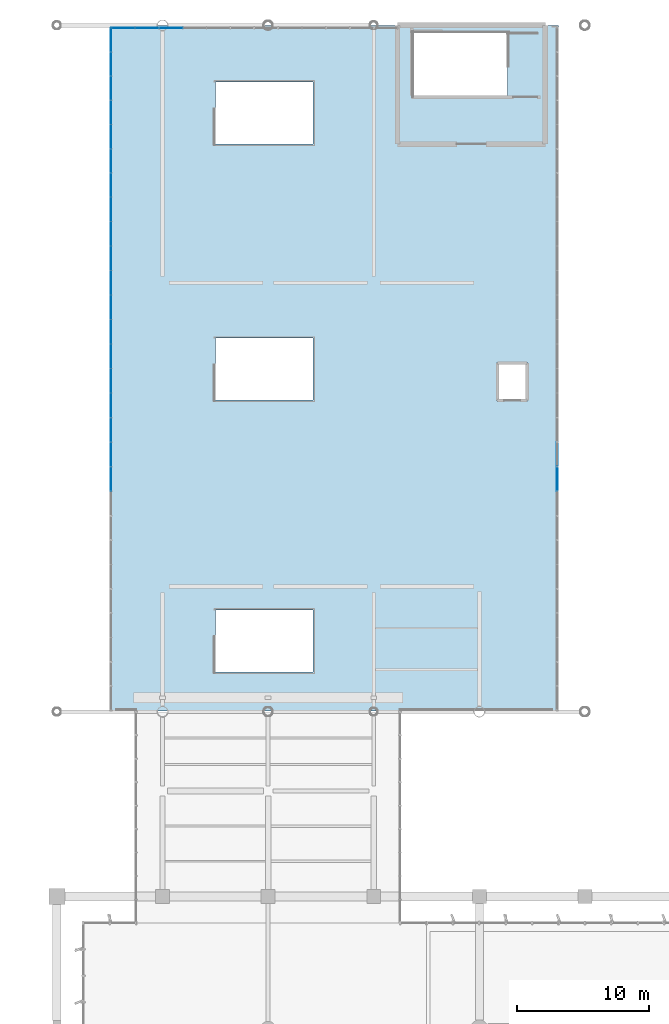
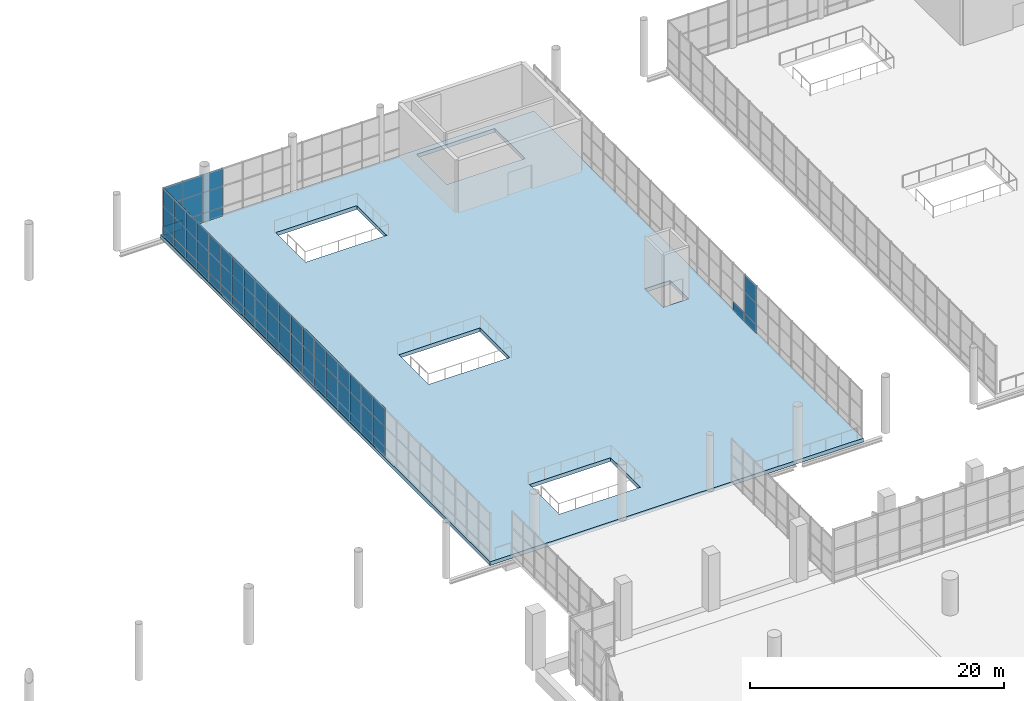
# One storey, part 132 of 176: 70 plates, 1 slab, 5 elements without a shape of their own.
"""IFC4 building model written with IfcOpenShell, lengths in metres."""

from ifc_helpers import new_model, si_unit, direction, frame, origin, origin_2d, place, context, subcontext, project, spatial, polyline, rectangle, outline, extrude, material, layer, layer_set, type_object, element, aggregate, save


model = new_model("IFC4")

# Units and contexts
model_context = context("Model", 3, precision=1e-05, world=origin(), true_north=direction((0.0, 1.0)))
body_context = subcontext(model_context, "Body", "Model", "MODEL_VIEW")
ifc_project = project(units=[si_unit("LENGTHUNIT", "METRE"), si_unit("AREAUNIT", "SQUARE_METRE"), si_unit("VOLUMEUNIT", "CUBIC_METRE"), si_unit("PLANEANGLEUNIT", "RADIAN"), si_unit("MASSUNIT", "GRAM", prefix="KILO")], contexts=[model_context])

# Site, building, storey
site_placement = place(None, origin())
site = spatial("IfcSite", under=ifc_project, at=site_placement, CompositionType="ELEMENT")
building_placement = place(site_placement, origin())
building = spatial("IfcBuilding", under=site, at=building_placement, Name="Khorjan Park Terminus", CompositionType="ELEMENT")
storey_placement = place(building_placement, frame((0.0, 0.0, 6.0)))
storey = spatial("IfcBuildingStorey", under=building, at=storey_placement, Name="L01", CompositionType="ELEMENT", Elevation=6.0)

# Curtain wall, plates
ifc_material_1 = material(Name="Anodized Bronze Aluminium", Category="aluminium")
ifc_layer_1 = layer(ifc_material_1, 0.22)
ifc_layer_set_1 = layer_set([ifc_layer_1], Name="Anodized Bronze Aluminium")
curtain_wall_type = type_object("IfcCurtainWallType", Name="CW-BRG-D", PredefinedType="NOTDEFINED", material=ifc_layer_set_1)
curtain_wall_1_placement = place(storey_placement, origin())
curtain_wall_1 = element("IfcCurtainWall", 1, at=curtain_wall_1_placement, inside=storey, type_object=curtain_wall_type, Name="Unitized curtain wall CW-D (CW-BRW-W-2)", PredefinedType="NOTDEFINED")
ifc_material_2 = material(Name="Low-E Solar Control Double Glazing", Category="glass")
ifc_layer_2 = layer(ifc_material_2, 0.032)
ifc_layer_set_2 = layer_set([ifc_layer_2], Name="Low-E Solar Control Double Glazing")
plate_type_1 = type_object("IfcPlateType", Name="GL-VIS-32", PredefinedType="CURTAIN_PANEL", material=ifc_layer_set_2)
plate_1_placement = place(storey_placement, frame((52.1, 127.0714, 0.85), z_axis=(0.0, 0.0, 1.0), x_axis=(0.0, -1.0, 0.0)))
plate_1 = element("IfcPlate", 2, at=plate_1_placement, type_object=plate_type_1, Name="Curtain-wall panel VP-32 (CW-BRW-W-2-0-2)", PredefinedType="CURTAIN_PANEL", context=body_context, shape_type="SweptSolid", body=[
    extrude(rectangle(XDim=1.8571, YDim=0.032, at=origin_2d()), origin(), (0.0, 0.0, 1.0), 2.002),
])
plate_2_placement = place(storey_placement, frame((52.1, 127.0714, 2.852), z_axis=(0.0, 0.0, 1.0), x_axis=(0.0, -1.0, 0.0)))
plate_2 = element("IfcPlate", 3, at=plate_2_placement, type_object=plate_type_1, Name="Curtain-wall panel VP-32 (CW-BRW-W-2-0-3)", PredefinedType="CURTAIN_PANEL", context=body_context, shape_type="SweptSolid", body=[
    extrude(rectangle(XDim=1.8571, YDim=0.032, at=origin_2d()), origin(), (0.0, 0.0, 1.0), 1.758),
])
plate_3_placement = place(storey_placement, frame((52.1, 125.2143, 0.85), z_axis=(0.0, 0.0, 1.0), x_axis=(0.0, -1.0, 0.0)))
plate_3 = element("IfcPlate", 4, at=plate_3_placement, type_object=plate_type_1, Name="Curtain-wall panel VP-32 (CW-BRW-W-2-1-2)", PredefinedType="CURTAIN_PANEL", context=body_context, shape_type="SweptSolid", body=[
    extrude(rectangle(XDim=1.8571, YDim=0.032, at=origin_2d()), origin(), (0.0, 0.0, 1.0), 2.002),
])
plate_4_placement = place(storey_placement, frame((52.1, 125.2143, 2.852), z_axis=(0.0, 0.0, 1.0), x_axis=(0.0, -1.0, 0.0)))
plate_4 = element("IfcPlate", 5, at=plate_4_placement, type_object=plate_type_1, Name="Curtain-wall panel VP-32 (CW-BRW-W-2-1-3)", PredefinedType="CURTAIN_PANEL", context=body_context, shape_type="SweptSolid", body=[
    extrude(rectangle(XDim=1.8571, YDim=0.032, at=origin_2d()), origin(), (0.0, 0.0, 1.0), 1.758),
])
plate_5_placement = place(storey_placement, frame((52.1, 123.3572, 0.85), z_axis=(0.0, 0.0, 1.0), x_axis=(0.0, -1.0, 0.0)))
plate_5 = element("IfcPlate", 6, at=plate_5_placement, type_object=plate_type_1, Name="Curtain-wall panel VP-32 (CW-BRW-W-2-2-2)", PredefinedType="CURTAIN_PANEL", context=body_context, shape_type="SweptSolid", body=[
    extrude(rectangle(XDim=1.8571, YDim=0.032, at=origin_2d()), origin(), (0.0, 0.0, 1.0), 2.002),
])
plate_6_placement = place(storey_placement, frame((52.1, 123.3572, 2.852), z_axis=(0.0, 0.0, 1.0), x_axis=(0.0, -1.0, 0.0)))
plate_6 = element("IfcPlate", 7, at=plate_6_placement, type_object=plate_type_1, Name="Curtain-wall panel VP-32 (CW-BRW-W-2-2-3)", PredefinedType="CURTAIN_PANEL", context=body_context, shape_type="SweptSolid", body=[
    extrude(rectangle(XDim=1.8571, YDim=0.032, at=origin_2d()), origin(), (0.0, 0.0, 1.0), 1.758),
])
plate_7_placement = place(storey_placement, frame((52.1, 121.5, 0.85), z_axis=(0.0, 0.0, 1.0), x_axis=(0.0, -1.0, 0.0)))
plate_7 = element("IfcPlate", 8, at=plate_7_placement, type_object=plate_type_1, Name="Curtain-wall panel VP-32 (CW-BRW-W-2-3-2)", PredefinedType="CURTAIN_PANEL", context=body_context, shape_type="SweptSolid", body=[
    extrude(rectangle(XDim=1.8571, YDim=0.032, at=origin_2d()), origin(), (0.0, 0.0, 1.0), 2.002),
])
plate_8_placement = place(storey_placement, frame((52.1, 121.5, 2.852), z_axis=(0.0, 0.0, 1.0), x_axis=(0.0, -1.0, 0.0)))
plate_8 = element("IfcPlate", 9, at=plate_8_placement, type_object=plate_type_1, Name="Curtain-wall panel VP-32 (CW-BRW-W-2-3-3)", PredefinedType="CURTAIN_PANEL", context=body_context, shape_type="SweptSolid", body=[
    extrude(rectangle(XDim=1.8571, YDim=0.032, at=origin_2d()), origin(), (0.0, 0.0, 1.0), 1.758),
])
plate_9_placement = place(storey_placement, frame((52.1, 119.6428, 0.85), z_axis=(0.0, 0.0, 1.0), x_axis=(0.0, -1.0, 0.0)))
plate_9 = element("IfcPlate", 10, at=plate_9_placement, type_object=plate_type_1, Name="Curtain-wall panel VP-32 (CW-BRW-W-2-4-2)", PredefinedType="CURTAIN_PANEL", context=body_context, shape_type="SweptSolid", body=[
    extrude(rectangle(XDim=1.8571, YDim=0.032, at=origin_2d()), origin(), (0.0, 0.0, 1.0), 2.002),
])
plate_10_placement = place(storey_placement, frame((52.1, 119.6428, 2.852), z_axis=(0.0, 0.0, 1.0), x_axis=(0.0, -1.0, 0.0)))
plate_10 = element("IfcPlate", 11, at=plate_10_placement, type_object=plate_type_1, Name="Curtain-wall panel VP-32 (CW-BRW-W-2-4-3)", PredefinedType="CURTAIN_PANEL", context=body_context, shape_type="SweptSolid", body=[
    extrude(rectangle(XDim=1.8571, YDim=0.032, at=origin_2d()), origin(), (0.0, 0.0, 1.0), 1.758),
])

curtain_wall_2_placement = place(storey_placement, origin())
curtain_wall_2 = element("IfcCurtainWall", 12, at=curtain_wall_2_placement, inside=storey, type_object=curtain_wall_type, Name="Unitized curtain wall CW-D (CW-BRW-E-2)", PredefinedType="NOTDEFINED")
plate_11_placement = place(storey_placement, frame((85.9, 119.6428, 0.85), z_axis=(0.0, 0.0, 1.0), x_axis=(0.0, 1.0, 0.0)))
plate_11 = element("IfcPlate", 13, at=plate_11_placement, type_object=plate_type_1, Name="Curtain-wall panel VP-32 (CW-BRW-E-2-2-2)", PredefinedType="CURTAIN_PANEL", context=body_context, shape_type="SweptSolid", body=[
    extrude(rectangle(XDim=1.8571, YDim=0.032, at=origin_2d()), origin(), (0.0, 0.0, 1.0), 2.002),
])
plate_12_placement = place(storey_placement, frame((85.9, 119.6428, 2.852), z_axis=(0.0, 0.0, 1.0), x_axis=(0.0, 1.0, 0.0)))
plate_12 = element("IfcPlate", 14, at=plate_12_placement, type_object=plate_type_1, Name="Curtain-wall panel VP-32 (CW-BRW-E-2-2-3)", PredefinedType="CURTAIN_PANEL", context=body_context, shape_type="SweptSolid", body=[
    extrude(rectangle(XDim=1.8571, YDim=0.032, at=origin_2d()), origin(), (0.0, 0.0, 1.0), 1.758),
])

curtain_wall_3_placement = place(storey_placement, origin())
curtain_wall_3 = element("IfcCurtainWall", 15, at=curtain_wall_3_placement, inside=storey, type_object=curtain_wall_type, Name="Unitized curtain wall CW-D (CW-BRW-W-3)", PredefinedType="NOTDEFINED")
plate_13_placement = place(storey_placement, frame((52.1, 140.0714, 0.85), z_axis=(0.0, 0.0, 1.0), x_axis=(0.0, -1.0, 0.0)))
plate_13 = element("IfcPlate", 16, at=plate_13_placement, type_object=plate_type_1, Name="Curtain-wall panel VP-32 (CW-BRW-W-3-0-2)", PredefinedType="CURTAIN_PANEL", context=body_context, shape_type="SweptSolid", body=[
    extrude(rectangle(XDim=1.8571, YDim=0.032, at=origin_2d()), origin(), (0.0, 0.0, 1.0), 2.002),
])
plate_14_placement = place(storey_placement, frame((52.1, 140.0714, 2.852), z_axis=(0.0, 0.0, 1.0), x_axis=(0.0, -1.0, 0.0)))
plate_14 = element("IfcPlate", 17, at=plate_14_placement, type_object=plate_type_1, Name="Curtain-wall panel VP-32 (CW-BRW-W-3-0-3)", PredefinedType="CURTAIN_PANEL", context=body_context, shape_type="SweptSolid", body=[
    extrude(rectangle(XDim=1.8571, YDim=0.032, at=origin_2d()), origin(), (0.0, 0.0, 1.0), 1.758),
])
plate_15_placement = place(storey_placement, frame((52.1, 138.2143, 0.85), z_axis=(0.0, 0.0, 1.0), x_axis=(0.0, -1.0, 0.0)))
plate_15 = element("IfcPlate", 18, at=plate_15_placement, type_object=plate_type_1, Name="Curtain-wall panel VP-32 (CW-BRW-W-3-1-2)", PredefinedType="CURTAIN_PANEL", context=body_context, shape_type="SweptSolid", body=[
    extrude(rectangle(XDim=1.8571, YDim=0.032, at=origin_2d()), origin(), (0.0, 0.0, 1.0), 2.002),
])
plate_16_placement = place(storey_placement, frame((52.1, 138.2143, 2.852), z_axis=(0.0, 0.0, 1.0), x_axis=(0.0, -1.0, 0.0)))
plate_16 = element("IfcPlate", 19, at=plate_16_placement, type_object=plate_type_1, Name="Curtain-wall panel VP-32 (CW-BRW-W-3-1-3)", PredefinedType="CURTAIN_PANEL", context=body_context, shape_type="SweptSolid", body=[
    extrude(rectangle(XDim=1.8571, YDim=0.032, at=origin_2d()), origin(), (0.0, 0.0, 1.0), 1.758),
])
plate_17_placement = place(storey_placement, frame((52.1, 136.3571, 0.85), z_axis=(0.0, 0.0, 1.0), x_axis=(0.0, -1.0, 0.0)))
plate_17 = element("IfcPlate", 20, at=plate_17_placement, type_object=plate_type_1, Name="Curtain-wall panel VP-32 (CW-BRW-W-3-2-2)", PredefinedType="CURTAIN_PANEL", context=body_context, shape_type="SweptSolid", body=[
    extrude(rectangle(XDim=1.8571, YDim=0.032, at=origin_2d()), origin(), (0.0, 0.0, 1.0), 2.002),
])
plate_18_placement = place(storey_placement, frame((52.1, 136.3571, 2.852), z_axis=(0.0, 0.0, 1.0), x_axis=(0.0, -1.0, 0.0)))
plate_18 = element("IfcPlate", 21, at=plate_18_placement, type_object=plate_type_1, Name="Curtain-wall panel VP-32 (CW-BRW-W-3-2-3)", PredefinedType="CURTAIN_PANEL", context=body_context, shape_type="SweptSolid", body=[
    extrude(rectangle(XDim=1.8571, YDim=0.032, at=origin_2d()), origin(), (0.0, 0.0, 1.0), 1.758),
])
plate_19_placement = place(storey_placement, frame((52.1, 134.5, 0.85), z_axis=(0.0, 0.0, 1.0), x_axis=(0.0, -1.0, 0.0)))
plate_19 = element("IfcPlate", 22, at=plate_19_placement, type_object=plate_type_1, Name="Curtain-wall panel VP-32 (CW-BRW-W-3-3-2)", PredefinedType="CURTAIN_PANEL", context=body_context, shape_type="SweptSolid", body=[
    extrude(rectangle(XDim=1.8571, YDim=0.032, at=origin_2d()), origin(), (0.0, 0.0, 1.0), 2.002),
])
plate_20_placement = place(storey_placement, frame((52.1, 134.5, 2.852), z_axis=(0.0, 0.0, 1.0), x_axis=(0.0, -1.0, 0.0)))
plate_20 = element("IfcPlate", 23, at=plate_20_placement, type_object=plate_type_1, Name="Curtain-wall panel VP-32 (CW-BRW-W-3-3-3)", PredefinedType="CURTAIN_PANEL", context=body_context, shape_type="SweptSolid", body=[
    extrude(rectangle(XDim=1.8571, YDim=0.032, at=origin_2d()), origin(), (0.0, 0.0, 1.0), 1.758),
])
plate_21_placement = place(storey_placement, frame((52.1, 132.6429, 0.85), z_axis=(0.0, 0.0, 1.0), x_axis=(0.0, -1.0, 0.0)))
plate_21 = element("IfcPlate", 24, at=plate_21_placement, type_object=plate_type_1, Name="Curtain-wall panel VP-32 (CW-BRW-W-3-4-2)", PredefinedType="CURTAIN_PANEL", context=body_context, shape_type="SweptSolid", body=[
    extrude(rectangle(XDim=1.8571, YDim=0.032, at=origin_2d()), origin(), (0.0, 0.0, 1.0), 2.002),
])
plate_22_placement = place(storey_placement, frame((52.1, 132.6429, 2.852), z_axis=(0.0, 0.0, 1.0), x_axis=(0.0, -1.0, 0.0)))
plate_22 = element("IfcPlate", 25, at=plate_22_placement, type_object=plate_type_1, Name="Curtain-wall panel VP-32 (CW-BRW-W-3-4-3)", PredefinedType="CURTAIN_PANEL", context=body_context, shape_type="SweptSolid", body=[
    extrude(rectangle(XDim=1.8571, YDim=0.032, at=origin_2d()), origin(), (0.0, 0.0, 1.0), 1.758),
])
plate_23_placement = place(storey_placement, frame((52.1, 130.7857, 0.85), z_axis=(0.0, 0.0, 1.0), x_axis=(0.0, -1.0, 0.0)))
plate_23 = element("IfcPlate", 26, at=plate_23_placement, type_object=plate_type_1, Name="Curtain-wall panel VP-32 (CW-BRW-W-3-5-2)", PredefinedType="CURTAIN_PANEL", context=body_context, shape_type="SweptSolid", body=[
    extrude(rectangle(XDim=1.8571, YDim=0.032, at=origin_2d()), origin(), (0.0, 0.0, 1.0), 2.002),
])
plate_24_placement = place(storey_placement, frame((52.1, 130.7857, 2.852), z_axis=(0.0, 0.0, 1.0), x_axis=(0.0, -1.0, 0.0)))
plate_24 = element("IfcPlate", 27, at=plate_24_placement, type_object=plate_type_1, Name="Curtain-wall panel VP-32 (CW-BRW-W-3-5-3)", PredefinedType="CURTAIN_PANEL", context=body_context, shape_type="SweptSolid", body=[
    extrude(rectangle(XDim=1.8571, YDim=0.032, at=origin_2d()), origin(), (0.0, 0.0, 1.0), 1.758),
])
plate_25_placement = place(storey_placement, frame((52.1, 128.9286, 0.85), z_axis=(0.0, 0.0, 1.0), x_axis=(0.0, -1.0, 0.0)))
plate_25 = element("IfcPlate", 28, at=plate_25_placement, type_object=plate_type_1, Name="Curtain-wall panel VP-32 (CW-BRW-W-3-6-2)", PredefinedType="CURTAIN_PANEL", context=body_context, shape_type="SweptSolid", body=[
    extrude(rectangle(XDim=1.8571, YDim=0.032, at=origin_2d()), origin(), (0.0, 0.0, 1.0), 2.002),
])
plate_26_placement = place(storey_placement, frame((52.1, 128.9286, 2.852), z_axis=(0.0, 0.0, 1.0), x_axis=(0.0, -1.0, 0.0)))
plate_26 = element("IfcPlate", 29, at=plate_26_placement, type_object=plate_type_1, Name="Curtain-wall panel VP-32 (CW-BRW-W-3-6-3)", PredefinedType="CURTAIN_PANEL", context=body_context, shape_type="SweptSolid", body=[
    extrude(rectangle(XDim=1.8571, YDim=0.032, at=origin_2d()), origin(), (0.0, 0.0, 1.0), 1.758),
])

curtain_wall_4_placement = place(storey_placement, origin())
curtain_wall_4 = element("IfcCurtainWall", 30, at=curtain_wall_4_placement, inside=storey, type_object=curtain_wall_type, Name="Unitized curtain wall CW-D (CW-BRW-W-4)", PredefinedType="NOTDEFINED")
plate_27_placement = place(storey_placement, frame((52.1, 152.8857, 0.85), z_axis=(0.0, 0.0, 1.0), x_axis=(0.0, -1.0, 0.0)))
plate_27 = element("IfcPlate", 31, at=plate_27_placement, type_object=plate_type_1, Name="Curtain-wall panel VP-32 (CW-BRW-W-4-0-2)", PredefinedType="CURTAIN_PANEL", context=body_context, shape_type="SweptSolid", body=[
    extrude(rectangle(XDim=1.8286, YDim=0.032, at=origin_2d()), origin(), (0.0, 0.0, 1.0), 2.002),
])
plate_28_placement = place(storey_placement, frame((52.1, 152.8857, 2.852), z_axis=(0.0, 0.0, 1.0), x_axis=(0.0, -1.0, 0.0)))
plate_28 = element("IfcPlate", 32, at=plate_28_placement, type_object=plate_type_1, Name="Curtain-wall panel VP-32 (CW-BRW-W-4-0-3)", PredefinedType="CURTAIN_PANEL", context=body_context, shape_type="SweptSolid", body=[
    extrude(rectangle(XDim=1.8286, YDim=0.032, at=origin_2d()), origin(), (0.0, 0.0, 1.0), 1.758),
])
plate_29_placement = place(storey_placement, frame((52.1, 151.0571, 0.85), z_axis=(0.0, 0.0, 1.0), x_axis=(0.0, -1.0, 0.0)))
plate_29 = element("IfcPlate", 33, at=plate_29_placement, type_object=plate_type_1, Name="Curtain-wall panel VP-32 (CW-BRW-W-4-1-2)", PredefinedType="CURTAIN_PANEL", context=body_context, shape_type="SweptSolid", body=[
    extrude(rectangle(XDim=1.8286, YDim=0.032, at=origin_2d()), origin(), (0.0, 0.0, 1.0), 2.002),
])
plate_30_placement = place(storey_placement, frame((52.1, 151.0571, 2.852), z_axis=(0.0, 0.0, 1.0), x_axis=(0.0, -1.0, 0.0)))
plate_30 = element("IfcPlate", 34, at=plate_30_placement, type_object=plate_type_1, Name="Curtain-wall panel VP-32 (CW-BRW-W-4-1-3)", PredefinedType="CURTAIN_PANEL", context=body_context, shape_type="SweptSolid", body=[
    extrude(rectangle(XDim=1.8286, YDim=0.032, at=origin_2d()), origin(), (0.0, 0.0, 1.0), 1.758),
])
plate_31_placement = place(storey_placement, frame((52.1, 149.2286, 0.85), z_axis=(0.0, 0.0, 1.0), x_axis=(0.0, -1.0, 0.0)))
plate_31 = element("IfcPlate", 35, at=plate_31_placement, type_object=plate_type_1, Name="Curtain-wall panel VP-32 (CW-BRW-W-4-2-2)", PredefinedType="CURTAIN_PANEL", context=body_context, shape_type="SweptSolid", body=[
    extrude(rectangle(XDim=1.8286, YDim=0.032, at=origin_2d()), origin(), (0.0, 0.0, 1.0), 2.002),
])
plate_32_placement = place(storey_placement, frame((52.1, 149.2286, 2.852), z_axis=(0.0, 0.0, 1.0), x_axis=(0.0, -1.0, 0.0)))
plate_32 = element("IfcPlate", 36, at=plate_32_placement, type_object=plate_type_1, Name="Curtain-wall panel VP-32 (CW-BRW-W-4-2-3)", PredefinedType="CURTAIN_PANEL", context=body_context, shape_type="SweptSolid", body=[
    extrude(rectangle(XDim=1.8286, YDim=0.032, at=origin_2d()), origin(), (0.0, 0.0, 1.0), 1.758),
])
plate_33_placement = place(storey_placement, frame((52.1, 147.4, 0.85), z_axis=(0.0, 0.0, 1.0), x_axis=(0.0, -1.0, 0.0)))
plate_33 = element("IfcPlate", 37, at=plate_33_placement, type_object=plate_type_1, Name="Curtain-wall panel VP-32 (CW-BRW-W-4-3-2)", PredefinedType="CURTAIN_PANEL", context=body_context, shape_type="SweptSolid", body=[
    extrude(rectangle(XDim=1.8286, YDim=0.032, at=origin_2d()), origin(), (0.0, 0.0, 1.0), 2.002),
])
plate_34_placement = place(storey_placement, frame((52.1, 147.4, 2.852), z_axis=(0.0, 0.0, 1.0), x_axis=(0.0, -1.0, 0.0)))
plate_34 = element("IfcPlate", 38, at=plate_34_placement, type_object=plate_type_1, Name="Curtain-wall panel VP-32 (CW-BRW-W-4-3-3)", PredefinedType="CURTAIN_PANEL", context=body_context, shape_type="SweptSolid", body=[
    extrude(rectangle(XDim=1.8286, YDim=0.032, at=origin_2d()), origin(), (0.0, 0.0, 1.0), 1.758),
])
plate_35_placement = place(storey_placement, frame((52.1, 145.5714, 0.85), z_axis=(0.0, 0.0, 1.0), x_axis=(0.0, -1.0, 0.0)))
plate_35 = element("IfcPlate", 39, at=plate_35_placement, type_object=plate_type_1, Name="Curtain-wall panel VP-32 (CW-BRW-W-4-4-2)", PredefinedType="CURTAIN_PANEL", context=body_context, shape_type="SweptSolid", body=[
    extrude(rectangle(XDim=1.8286, YDim=0.032, at=origin_2d()), origin(), (0.0, 0.0, 1.0), 2.002),
])
plate_36_placement = place(storey_placement, frame((52.1, 145.5714, 2.852), z_axis=(0.0, 0.0, 1.0), x_axis=(0.0, -1.0, 0.0)))
plate_36 = element("IfcPlate", 40, at=plate_36_placement, type_object=plate_type_1, Name="Curtain-wall panel VP-32 (CW-BRW-W-4-4-3)", PredefinedType="CURTAIN_PANEL", context=body_context, shape_type="SweptSolid", body=[
    extrude(rectangle(XDim=1.8286, YDim=0.032, at=origin_2d()), origin(), (0.0, 0.0, 1.0), 1.758),
])
plate_37_placement = place(storey_placement, frame((52.1, 143.7429, 0.85), z_axis=(0.0, 0.0, 1.0), x_axis=(0.0, -1.0, 0.0)))
plate_37 = element("IfcPlate", 41, at=plate_37_placement, type_object=plate_type_1, Name="Curtain-wall panel VP-32 (CW-BRW-W-4-5-2)", PredefinedType="CURTAIN_PANEL", context=body_context, shape_type="SweptSolid", body=[
    extrude(rectangle(XDim=1.8286, YDim=0.032, at=origin_2d()), origin(), (0.0, 0.0, 1.0), 2.002),
])
plate_38_placement = place(storey_placement, frame((52.1, 143.7429, 2.852), z_axis=(0.0, 0.0, 1.0), x_axis=(0.0, -1.0, 0.0)))
plate_38 = element("IfcPlate", 42, at=plate_38_placement, type_object=plate_type_1, Name="Curtain-wall panel VP-32 (CW-BRW-W-4-5-3)", PredefinedType="CURTAIN_PANEL", context=body_context, shape_type="SweptSolid", body=[
    extrude(rectangle(XDim=1.8286, YDim=0.032, at=origin_2d()), origin(), (0.0, 0.0, 1.0), 1.758),
])
plate_39_placement = place(storey_placement, frame((52.1, 141.9143, 0.85), z_axis=(0.0, 0.0, 1.0), x_axis=(0.0, -1.0, 0.0)))
plate_39 = element("IfcPlate", 43, at=plate_39_placement, type_object=plate_type_1, Name="Curtain-wall panel VP-32 (CW-BRW-W-4-6-2)", PredefinedType="CURTAIN_PANEL", context=body_context, shape_type="SweptSolid", body=[
    extrude(rectangle(XDim=1.8286, YDim=0.032, at=origin_2d()), origin(), (0.0, 0.0, 1.0), 2.002),
])
plate_40_placement = place(storey_placement, frame((52.1, 141.9143, 2.852), z_axis=(0.0, 0.0, 1.0), x_axis=(0.0, -1.0, 0.0)))
plate_40 = element("IfcPlate", 44, at=plate_40_placement, type_object=plate_type_1, Name="Curtain-wall panel VP-32 (CW-BRW-W-4-6-3)", PredefinedType="CURTAIN_PANEL", context=body_context, shape_type="SweptSolid", body=[
    extrude(rectangle(XDim=1.8286, YDim=0.032, at=origin_2d()), origin(), (0.0, 0.0, 1.0), 1.758),
])

curtain_wall_5_placement = place(storey_placement, origin())
curtain_wall_5 = element("IfcCurtainWall", 45, at=curtain_wall_5_placement, inside=storey, type_object=curtain_wall_type, Name="Unitized curtain wall CW-D (CW-BRW-N)", PredefinedType="NOTDEFINED")
plate_41_placement = place(storey_placement, frame((56.6209, 153.8, 0.85), z_axis=(0.0, 0.0, 1.0), x_axis=(-1.0, 0.0, 0.0)))
plate_41 = element("IfcPlate", 46, at=plate_41_placement, type_object=plate_type_1, Name="Curtain-wall panel VP-32 (CW-BRW-N-9-2)", PredefinedType="CURTAIN_PANEL", context=body_context, shape_type="SweptSolid", body=[
    extrude(rectangle(XDim=1.8083, YDim=0.032, at=origin_2d()), origin(), (0.0, 0.0, 1.0), 2.002),
])
plate_42_placement = place(storey_placement, frame((56.6209, 153.8, 2.852), z_axis=(0.0, 0.0, 1.0), x_axis=(-1.0, 0.0, 0.0)))
plate_42 = element("IfcPlate", 47, at=plate_42_placement, type_object=plate_type_1, Name="Curtain-wall panel VP-32 (CW-BRW-N-9-3)", PredefinedType="CURTAIN_PANEL", context=body_context, shape_type="SweptSolid", body=[
    extrude(rectangle(XDim=1.8083, YDim=0.032, at=origin_2d()), origin(), (0.0, 0.0, 1.0), 1.758),
])
plate_43_placement = place(storey_placement, frame((54.8125, 153.8, 0.85), z_axis=(0.0, 0.0, 1.0), x_axis=(-1.0, 0.0, 0.0)))
plate_43 = element("IfcPlate", 48, at=plate_43_placement, type_object=plate_type_1, Name="Curtain-wall panel VP-32 (CW-BRW-N-10-2)", PredefinedType="CURTAIN_PANEL", context=body_context, shape_type="SweptSolid", body=[
    extrude(rectangle(XDim=1.8083, YDim=0.032, at=origin_2d()), origin(), (0.0, 0.0, 1.0), 2.002),
])
plate_44_placement = place(storey_placement, frame((54.8125, 153.8, 2.852), z_axis=(0.0, 0.0, 1.0), x_axis=(-1.0, 0.0, 0.0)))
plate_44 = element("IfcPlate", 49, at=plate_44_placement, type_object=plate_type_1, Name="Curtain-wall panel VP-32 (CW-BRW-N-10-3)", PredefinedType="CURTAIN_PANEL", context=body_context, shape_type="SweptSolid", body=[
    extrude(rectangle(XDim=1.8083, YDim=0.032, at=origin_2d()), origin(), (0.0, 0.0, 1.0), 1.758),
])
plate_45_placement = place(storey_placement, frame((53.0041, 153.8, 0.85), z_axis=(0.0, 0.0, 1.0), x_axis=(-1.0, 0.0, 0.0)))
plate_45 = element("IfcPlate", 50, at=plate_45_placement, type_object=plate_type_1, Name="Curtain-wall panel VP-32 (CW-BRW-N-11-2)", PredefinedType="CURTAIN_PANEL", context=body_context, shape_type="SweptSolid", body=[
    extrude(rectangle(XDim=1.8083, YDim=0.032, at=origin_2d()), origin(), (0.0, 0.0, 1.0), 2.002),
])
plate_46_placement = place(storey_placement, frame((53.0041, 153.8, 2.852), z_axis=(0.0, 0.0, 1.0), x_axis=(-1.0, 0.0, 0.0)))
plate_46 = element("IfcPlate", 51, at=plate_46_placement, type_object=plate_type_1, Name="Curtain-wall panel VP-32 (CW-BRW-N-11-3)", PredefinedType="CURTAIN_PANEL", context=body_context, shape_type="SweptSolid", body=[
    extrude(rectangle(XDim=1.8083, YDim=0.032, at=origin_2d()), origin(), (0.0, 0.0, 1.0), 1.758),
])

# Slab
ifc_material_3 = material(Name="Concrete C40/50", Category="concrete")
ifc_layer_3 = layer(ifc_material_3, 0.36)
ifc_layer_set_3 = layer_set([ifc_layer_3], Name="Concrete C40/50")
slab_type = type_object("IfcSlabType", Name="SL-FLR-360", PredefinedType="FLOOR", material=ifc_layer_set_3)
slab_placement = place(storey_placement, frame((0.0, 0.0, -0.36)))
element("IfcSlab", 52, at=slab_placement, inside=storey, type_object=slab_type, Name="Structural floor slab FS-36 (L01-BRG-W)", PredefinedType="FLOOR", context=body_context, shape_type="SweptSolid", body=[
    extrude(outline(polyline([(52.0, 154.0), (86.0, 154.0), (86.0, 102.05), (52.0, 102.05), (52.0, 154.0)]), holes=[polyline([(67.4, 109.7), (60.015, 109.7), (60.015, 105.0), (67.4, 105.0), (67.4, 109.7)]), polyline([(83.65, 125.55), (83.65, 128.45), (81.35, 128.45), (81.35, 125.55), (83.65, 125.55)]), polyline([(67.4, 125.6), (67.4, 130.3), (60.015, 130.3), (60.015, 125.6), (67.4, 125.6)]), polyline([(67.4, 145.0), (67.4, 149.7), (60.015, 149.7), (60.015, 145.0), (67.4, 145.0)]), polyline([(75.0, 153.45), (75.0, 148.69), (82.125, 148.69), (82.125, 153.45), (75.0, 153.45)])]), origin(), (0.0, 0.0, 1.0), 0.36),
])

# Plate
ifc_material_4 = material(Name="Insulated Anodized Bronze Spandrel Panel")
ifc_layer_4 = layer(ifc_material_4, 0.045)
ifc_layer_set_4 = layer_set([ifc_layer_4], Name="Insulated Anodized Bronze Spandrel Panel")
plate_type_2 = type_object("IfcPlateType", Name="SP-AL-45", PredefinedType="CURTAIN_PANEL", material=ifc_layer_set_4)
plate_47_placement = place(storey_placement, frame((52.1, 127.0714, -0.01), z_axis=(0.0, 0.0, 1.0), x_axis=(0.0, -1.0, 0.0)))
plate_47 = element("IfcPlate", 53, at=plate_47_placement, type_object=plate_type_2, Name="Curtain-wall panel SP-A45 (CW-BRW-W-2-0-1)", PredefinedType="CURTAIN_PANEL", context=body_context, shape_type="SweptSolid", body=[
    extrude(rectangle(XDim=1.8571, YDim=0.045, at=origin_2d()), origin(), (0.0, 0.0, 1.0), 0.86),
])

plate_48_placement = place(storey_placement, frame((52.1, 125.2143, -0.01), z_axis=(0.0, 0.0, 1.0), x_axis=(0.0, -1.0, 0.0)))
plate_48 = element("IfcPlate", 54, at=plate_48_placement, type_object=plate_type_2, Name="Curtain-wall panel SP-A45 (CW-BRW-W-2-1-1)", PredefinedType="CURTAIN_PANEL", context=body_context, shape_type="SweptSolid", body=[
    extrude(rectangle(XDim=1.8571, YDim=0.045, at=origin_2d()), origin(), (0.0, 0.0, 1.0), 0.86),
])

plate_49_placement = place(storey_placement, frame((52.1, 123.3572, -0.01), z_axis=(0.0, 0.0, 1.0), x_axis=(0.0, -1.0, 0.0)))
plate_49 = element("IfcPlate", 55, at=plate_49_placement, type_object=plate_type_2, Name="Curtain-wall panel SP-A45 (CW-BRW-W-2-2-1)", PredefinedType="CURTAIN_PANEL", context=body_context, shape_type="SweptSolid", body=[
    extrude(rectangle(XDim=1.8571, YDim=0.045, at=origin_2d()), origin(), (0.0, 0.0, 1.0), 0.86),
])

plate_50_placement = place(storey_placement, frame((52.1, 121.5, -0.01), z_axis=(0.0, 0.0, 1.0), x_axis=(0.0, -1.0, 0.0)))
plate_50 = element("IfcPlate", 56, at=plate_50_placement, type_object=plate_type_2, Name="Curtain-wall panel SP-A45 (CW-BRW-W-2-3-1)", PredefinedType="CURTAIN_PANEL", context=body_context, shape_type="SweptSolid", body=[
    extrude(rectangle(XDim=1.8571, YDim=0.045, at=origin_2d()), origin(), (0.0, 0.0, 1.0), 0.86),
])

plate_51_placement = place(storey_placement, frame((52.1, 119.6428, -0.01), z_axis=(0.0, 0.0, 1.0), x_axis=(0.0, -1.0, 0.0)))
plate_51 = element("IfcPlate", 57, at=plate_51_placement, type_object=plate_type_2, Name="Curtain-wall panel SP-A45 (CW-BRW-W-2-4-1)", PredefinedType="CURTAIN_PANEL", context=body_context, shape_type="SweptSolid", body=[
    extrude(rectangle(XDim=1.8571, YDim=0.045, at=origin_2d()), origin(), (0.0, 0.0, 1.0), 0.86),
])

aggregate(curtain_wall_1, [plate_47, plate_1, plate_2, plate_48, plate_3, plate_4, plate_49, plate_5, plate_6, plate_50, plate_7, plate_8, plate_51, plate_9, plate_10])

plate_52_placement = place(storey_placement, frame((85.9, 119.6428, -0.01), z_axis=(0.0, 0.0, 1.0), x_axis=(0.0, 1.0, 0.0)))
plate_52 = element("IfcPlate", 58, at=plate_52_placement, type_object=plate_type_2, Name="Curtain-wall panel SP-A45 (CW-BRW-E-2-2-1)", PredefinedType="CURTAIN_PANEL", context=body_context, shape_type="SweptSolid", body=[
    extrude(rectangle(XDim=1.8571, YDim=0.045, at=origin_2d()), origin(), (0.0, 0.0, 1.0), 0.86),
])

plate_53_placement = place(storey_placement, frame((85.9, 121.5, -0.01), z_axis=(0.0, 0.0, 1.0), x_axis=(0.0, 1.0, 0.0)))
plate_53 = element("IfcPlate", 59, at=plate_53_placement, type_object=plate_type_2, Name="Curtain-wall panel SP-A45 (CW-BRW-E-2-3-1)", PredefinedType="CURTAIN_PANEL", context=body_context, shape_type="SweptSolid", body=[
    extrude(rectangle(XDim=1.8571, YDim=0.045, at=origin_2d()), origin(), (0.0, 0.0, 1.0), 0.86),
])

aggregate(curtain_wall_2, [plate_52, plate_11, plate_12, plate_53])

plate_54_placement = place(storey_placement, frame((52.1, 140.0714, -0.01), z_axis=(0.0, 0.0, 1.0), x_axis=(0.0, -1.0, 0.0)))
plate_54 = element("IfcPlate", 60, at=plate_54_placement, type_object=plate_type_2, Name="Curtain-wall panel SP-A45 (CW-BRW-W-3-0-1)", PredefinedType="CURTAIN_PANEL", context=body_context, shape_type="SweptSolid", body=[
    extrude(rectangle(XDim=1.8571, YDim=0.045, at=origin_2d()), origin(), (0.0, 0.0, 1.0), 0.86),
])

plate_55_placement = place(storey_placement, frame((52.1, 138.2143, -0.01), z_axis=(0.0, 0.0, 1.0), x_axis=(0.0, -1.0, 0.0)))
plate_55 = element("IfcPlate", 61, at=plate_55_placement, type_object=plate_type_2, Name="Curtain-wall panel SP-A45 (CW-BRW-W-3-1-1)", PredefinedType="CURTAIN_PANEL", context=body_context, shape_type="SweptSolid", body=[
    extrude(rectangle(XDim=1.8571, YDim=0.045, at=origin_2d()), origin(), (0.0, 0.0, 1.0), 0.86),
])

plate_56_placement = place(storey_placement, frame((52.1, 136.3571, -0.01), z_axis=(0.0, 0.0, 1.0), x_axis=(0.0, -1.0, 0.0)))
plate_56 = element("IfcPlate", 62, at=plate_56_placement, type_object=plate_type_2, Name="Curtain-wall panel SP-A45 (CW-BRW-W-3-2-1)", PredefinedType="CURTAIN_PANEL", context=body_context, shape_type="SweptSolid", body=[
    extrude(rectangle(XDim=1.8571, YDim=0.045, at=origin_2d()), origin(), (0.0, 0.0, 1.0), 0.86),
])

plate_57_placement = place(storey_placement, frame((52.1, 134.5, -0.01), z_axis=(0.0, 0.0, 1.0), x_axis=(0.0, -1.0, 0.0)))
plate_57 = element("IfcPlate", 63, at=plate_57_placement, type_object=plate_type_2, Name="Curtain-wall panel SP-A45 (CW-BRW-W-3-3-1)", PredefinedType="CURTAIN_PANEL", context=body_context, shape_type="SweptSolid", body=[
    extrude(rectangle(XDim=1.8571, YDim=0.045, at=origin_2d()), origin(), (0.0, 0.0, 1.0), 0.86),
])

plate_58_placement = place(storey_placement, frame((52.1, 132.6429, -0.01), z_axis=(0.0, 0.0, 1.0), x_axis=(0.0, -1.0, 0.0)))
plate_58 = element("IfcPlate", 64, at=plate_58_placement, type_object=plate_type_2, Name="Curtain-wall panel SP-A45 (CW-BRW-W-3-4-1)", PredefinedType="CURTAIN_PANEL", context=body_context, shape_type="SweptSolid", body=[
    extrude(rectangle(XDim=1.8571, YDim=0.045, at=origin_2d()), origin(), (0.0, 0.0, 1.0), 0.86),
])

plate_59_placement = place(storey_placement, frame((52.1, 130.7857, -0.01), z_axis=(0.0, 0.0, 1.0), x_axis=(0.0, -1.0, 0.0)))
plate_59 = element("IfcPlate", 65, at=plate_59_placement, type_object=plate_type_2, Name="Curtain-wall panel SP-A45 (CW-BRW-W-3-5-1)", PredefinedType="CURTAIN_PANEL", context=body_context, shape_type="SweptSolid", body=[
    extrude(rectangle(XDim=1.8571, YDim=0.045, at=origin_2d()), origin(), (0.0, 0.0, 1.0), 0.86),
])

plate_60_placement = place(storey_placement, frame((52.1, 128.9286, -0.01), z_axis=(0.0, 0.0, 1.0), x_axis=(0.0, -1.0, 0.0)))
plate_60 = element("IfcPlate", 66, at=plate_60_placement, type_object=plate_type_2, Name="Curtain-wall panel SP-A45 (CW-BRW-W-3-6-1)", PredefinedType="CURTAIN_PANEL", context=body_context, shape_type="SweptSolid", body=[
    extrude(rectangle(XDim=1.8571, YDim=0.045, at=origin_2d()), origin(), (0.0, 0.0, 1.0), 0.86),
])

aggregate(curtain_wall_3, [plate_54, plate_13, plate_14, plate_55, plate_15, plate_16, plate_56, plate_17, plate_18, plate_57, plate_19, plate_20, plate_58, plate_21, plate_22, plate_59, plate_23, plate_24, plate_60, plate_25, plate_26])

plate_61_placement = place(storey_placement, frame((52.1, 152.8857, -0.01), z_axis=(0.0, 0.0, 1.0), x_axis=(0.0, -1.0, 0.0)))
plate_61 = element("IfcPlate", 67, at=plate_61_placement, type_object=plate_type_2, Name="Curtain-wall panel SP-A45 (CW-BRW-W-4-0-1)", PredefinedType="CURTAIN_PANEL", context=body_context, shape_type="SweptSolid", body=[
    extrude(rectangle(XDim=1.8286, YDim=0.045, at=origin_2d()), origin(), (0.0, 0.0, 1.0), 0.86),
])

plate_62_placement = place(storey_placement, frame((52.1, 151.0571, -0.01), z_axis=(0.0, 0.0, 1.0), x_axis=(0.0, -1.0, 0.0)))
plate_62 = element("IfcPlate", 68, at=plate_62_placement, type_object=plate_type_2, Name="Curtain-wall panel SP-A45 (CW-BRW-W-4-1-1)", PredefinedType="CURTAIN_PANEL", context=body_context, shape_type="SweptSolid", body=[
    extrude(rectangle(XDim=1.8286, YDim=0.045, at=origin_2d()), origin(), (0.0, 0.0, 1.0), 0.86),
])

plate_63_placement = place(storey_placement, frame((52.1, 149.2286, -0.01), z_axis=(0.0, 0.0, 1.0), x_axis=(0.0, -1.0, 0.0)))
plate_63 = element("IfcPlate", 69, at=plate_63_placement, type_object=plate_type_2, Name="Curtain-wall panel SP-A45 (CW-BRW-W-4-2-1)", PredefinedType="CURTAIN_PANEL", context=body_context, shape_type="SweptSolid", body=[
    extrude(rectangle(XDim=1.8286, YDim=0.045, at=origin_2d()), origin(), (0.0, 0.0, 1.0), 0.86),
])

plate_64_placement = place(storey_placement, frame((52.1, 147.4, -0.01), z_axis=(0.0, 0.0, 1.0), x_axis=(0.0, -1.0, 0.0)))
plate_64 = element("IfcPlate", 70, at=plate_64_placement, type_object=plate_type_2, Name="Curtain-wall panel SP-A45 (CW-BRW-W-4-3-1)", PredefinedType="CURTAIN_PANEL", context=body_context, shape_type="SweptSolid", body=[
    extrude(rectangle(XDim=1.8286, YDim=0.045, at=origin_2d()), origin(), (0.0, 0.0, 1.0), 0.86),
])

plate_65_placement = place(storey_placement, frame((52.1, 145.5714, -0.01), z_axis=(0.0, 0.0, 1.0), x_axis=(0.0, -1.0, 0.0)))
plate_65 = element("IfcPlate", 71, at=plate_65_placement, type_object=plate_type_2, Name="Curtain-wall panel SP-A45 (CW-BRW-W-4-4-1)", PredefinedType="CURTAIN_PANEL", context=body_context, shape_type="SweptSolid", body=[
    extrude(rectangle(XDim=1.8286, YDim=0.045, at=origin_2d()), origin(), (0.0, 0.0, 1.0), 0.86),
])

plate_66_placement = place(storey_placement, frame((52.1, 143.7429, -0.01), z_axis=(0.0, 0.0, 1.0), x_axis=(0.0, -1.0, 0.0)))
plate_66 = element("IfcPlate", 72, at=plate_66_placement, type_object=plate_type_2, Name="Curtain-wall panel SP-A45 (CW-BRW-W-4-5-1)", PredefinedType="CURTAIN_PANEL", context=body_context, shape_type="SweptSolid", body=[
    extrude(rectangle(XDim=1.8286, YDim=0.045, at=origin_2d()), origin(), (0.0, 0.0, 1.0), 0.86),
])

plate_67_placement = place(storey_placement, frame((52.1, 141.9143, -0.01), z_axis=(0.0, 0.0, 1.0), x_axis=(0.0, -1.0, 0.0)))
plate_67 = element("IfcPlate", 73, at=plate_67_placement, type_object=plate_type_2, Name="Curtain-wall panel SP-A45 (CW-BRW-W-4-6-1)", PredefinedType="CURTAIN_PANEL", context=body_context, shape_type="SweptSolid", body=[
    extrude(rectangle(XDim=1.8286, YDim=0.045, at=origin_2d()), origin(), (0.0, 0.0, 1.0), 0.86),
])

aggregate(curtain_wall_4, [plate_61, plate_27, plate_28, plate_62, plate_29, plate_30, plate_63, plate_31, plate_32, plate_64, plate_33, plate_34, plate_65, plate_35, plate_36, plate_66, plate_37, plate_38, plate_67, plate_39, plate_40])

plate_68_placement = place(storey_placement, frame((56.6209, 153.8, -0.01), z_axis=(0.0, 0.0, 1.0), x_axis=(-1.0, 0.0, 0.0)))
plate_68 = element("IfcPlate", 74, at=plate_68_placement, type_object=plate_type_2, Name="Curtain-wall panel SP-A45 (CW-BRW-N-9-1)", PredefinedType="CURTAIN_PANEL", context=body_context, shape_type="SweptSolid", body=[
    extrude(rectangle(XDim=1.8083, YDim=0.045, at=origin_2d()), origin(), (0.0, 0.0, 1.0), 0.86),
])

plate_69_placement = place(storey_placement, frame((54.8125, 153.8, -0.01), z_axis=(0.0, 0.0, 1.0), x_axis=(-1.0, 0.0, 0.0)))
plate_69 = element("IfcPlate", 75, at=plate_69_placement, type_object=plate_type_2, Name="Curtain-wall panel SP-A45 (CW-BRW-N-10-1)", PredefinedType="CURTAIN_PANEL", context=body_context, shape_type="SweptSolid", body=[
    extrude(rectangle(XDim=1.8083, YDim=0.045, at=origin_2d()), origin(), (0.0, 0.0, 1.0), 0.86),
])

plate_70_placement = place(storey_placement, frame((53.0041, 153.8, -0.01), z_axis=(0.0, 0.0, 1.0), x_axis=(-1.0, 0.0, 0.0)))
plate_70 = element("IfcPlate", 76, at=plate_70_placement, type_object=plate_type_2, Name="Curtain-wall panel SP-A45 (CW-BRW-N-11-1)", PredefinedType="CURTAIN_PANEL", context=body_context, shape_type="SweptSolid", body=[
    extrude(rectangle(XDim=1.8083, YDim=0.045, at=origin_2d()), origin(), (0.0, 0.0, 1.0), 0.86),
])

aggregate(curtain_wall_5, [plate_68, plate_41, plate_42, plate_69, plate_43, plate_44, plate_70, plate_45, plate_46])

save(model, "model.ifc")
